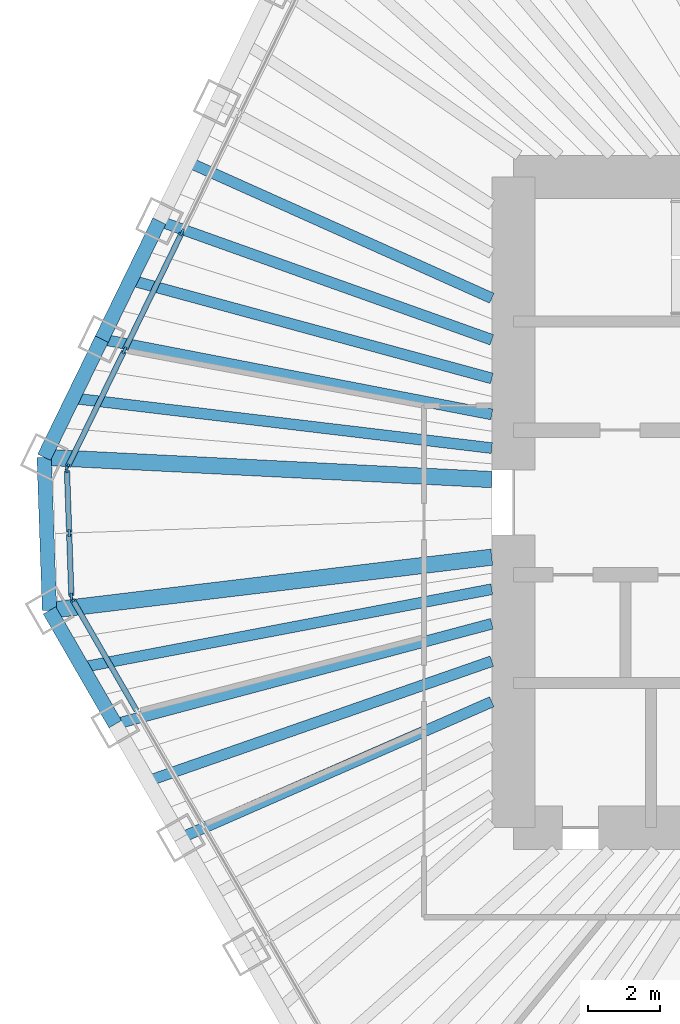
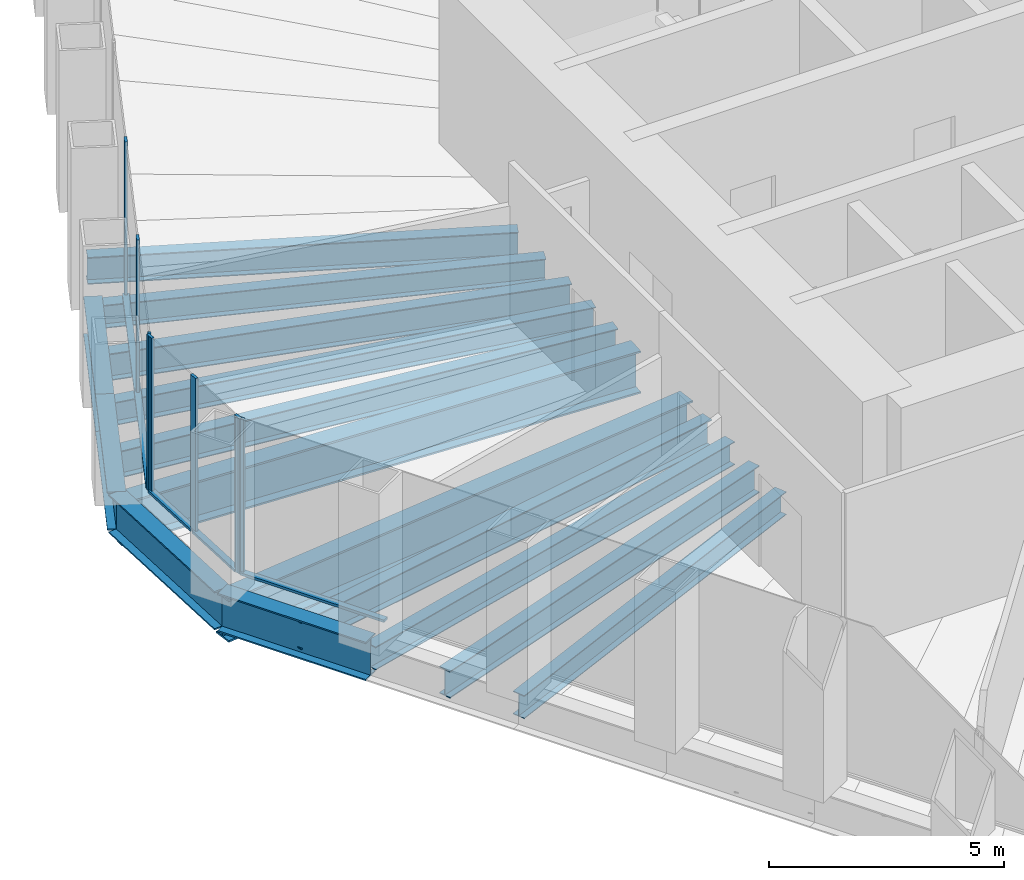
# One storey, part 3 of 13: 15 beams, 12 members, 3 elements without a shape of their own.
"""IFC4 building model written with IfcOpenShell, lengths in metres."""

from ifc_helpers import new_model, si_unit, direction, frame, origin, origin_2d, place, context, subcontext, project, spatial, rectangle, i_section, extrude, material, material_profile, profile_set, type_object, element, aggregate, save


model = new_model("IFC4")

# Units and contexts
model_context = context("Model", 3, precision=1e-05, world=origin(), true_north=direction((0.0, 1.0)))
body_context = subcontext(model_context, "Body", "Model", "MODEL_VIEW")
ifc_project = project(units=[si_unit("LENGTHUNIT", "METRE"), si_unit("AREAUNIT", "SQUARE_METRE"), si_unit("VOLUMEUNIT", "CUBIC_METRE"), si_unit("PLANEANGLEUNIT", "RADIAN"), si_unit("MASSUNIT", "GRAM", prefix="KILO")], contexts=[model_context])

# Site, building, storey
site_placement = place(None, origin())
site = spatial("IfcSite", under=ifc_project, at=site_placement, CompositionType="ELEMENT")
building_placement = place(site_placement, origin())
building = spatial("IfcBuilding", under=site, at=building_placement, Name="Qingtian Harvest Tower", CompositionType="ELEMENT")
storey_placement = place(building_placement, frame((0.0, 0.0, 247.60009765625)))
storey = spatial("IfcBuildingStorey", under=building, at=storey_placement, Name="L54", CompositionType="ELEMENT", Elevation=247.60009765625)

# Beams
ifc_material_1 = material(Name="Steel SM570MC", Category="steel")
ifc_material_profile_1 = material_profile(ifc_material_1, i_section(OverallWidth=0.449951171875, OverallDepth=1.10009765625, WebThickness=0.02197265625, FlangeThickness=0.044921875, at=origin_2d()), Name="H1100x450x22x45")
ifc_profile_set_1 = profile_set([ifc_material_profile_1], Name="Steel SM570MC")
beam_type_1 = type_object("IfcBeamType", Name="Corner floor beam FB8 H1100x450x22x45", PredefinedType="BEAM", material=ifc_profile_set_1)
beam_1_placement = place(storey_placement, frame((-24.833251953125, -2.987548828125, -0.72021484375), z_axis=(0.992841259631, 0.119441337798, 0.0), x_axis=(-0.119441337798, 0.992841259631, 0.0)))
element("IfcBeam", 1, at=beam_1_placement, inside=storey, type_object=beam_type_1, Name="Floor beam FB8 SW6", PredefinedType="BEAM", context=body_context, shape_type="SweptSolid", body=[
    extrude(i_section(OverallWidth=0.449951171875, OverallDepth=1.10009765625, WebThickness=0.02197265625, FlangeThickness=0.044921875, at=origin_2d()), origin(), (0.0, 0.0, 1.0), 12.3212890625),
])
beam_2_placement = place(storey_placement, frame((-24.981201171875, 1.248046875, -0.72021484375), z_axis=(0.998753959075, -0.049905202459, 0.0), x_axis=(0.049905202459, 0.998753959075, 0.0)))
element("IfcBeam", 2, at=beam_2_placement, inside=storey, type_object=beam_type_1, Name="Floor beam FB8 NW0", PredefinedType="BEAM", context=body_context, shape_type="SweptSolid", body=[
    extrude(i_section(OverallWidth=0.449951171875, OverallDepth=1.10009765625, WebThickness=0.02197265625, FlangeThickness=0.044921875, at=origin_2d()), origin(), (0.0, 0.0, 1.0), 12.396484375),
])
ifc_material_2 = material(Name="Steel SN490B", Category="steel")
ifc_material_profile_2 = material_profile(ifc_material_2, i_section(OverallWidth=0.300048828125, OverallDepth=0.60009765625, WebThickness=0.011962890625, FlangeThickness=0.02001953125, at=origin_2d()), Name="H600x300x12x20")
ifc_profile_set_2 = profile_set([ifc_material_profile_2], Name="Steel SN490B")
beam_type_2 = type_object("IfcBeamType", Name="Floor beam FB3 H600x300x12x20", PredefinedType="BEAM", material=ifc_profile_set_2)
beam_3_placement = place(storey_placement, frame((-21.19970703125, -9.281005859375, -0.47021484375), z_axis=(0.916057031544, 0.401048020765, 0.0), x_axis=(-0.401048020765, 0.916057031544, 0.0)))
element("IfcBeam", 3, at=beam_3_placement, inside=storey, type_object=beam_type_2, Name="Floor beam FB3 SW4", PredefinedType="BEAM", context=body_context, shape_type="SweptSolid", body=[
    extrude(i_section(OverallWidth=0.300048828125, OverallDepth=0.60009765625, WebThickness=0.011962890625, FlangeThickness=0.02001953125, at=origin_2d()), origin(), (0.0, 0.0, 1.0), 9.3876953125),
])
beam_4_placement = place(storey_placement, frame((-23.016357421875, -6.13427734375, -0.47021484375), z_axis=(0.966270640629, 0.257528734433, 0.0), x_axis=(-0.257528734433, 0.966270640629, 0.0)))
element("IfcBeam", 4, at=beam_4_placement, inside=storey, type_object=beam_type_2, Name="Floor beam FB3 SW5", PredefinedType="BEAM", context=body_context, shape_type="SweptSolid", body=[
    extrude(i_section(OverallWidth=0.300048828125, OverallDepth=0.60009765625, WebThickness=0.011962890625, FlangeThickness=0.02001953125, at=origin_2d()), origin(), (0.0, 0.0, 1.0), 10.77978515625),
])
beam_5_placement = place(storey_placement, frame((-23.388427734375, 4.513916015625, -0.47021484375), z_axis=(0.981878004162, -0.189514075845, 0.0), x_axis=(0.189514075845, 0.981878004162, 0.0)))
element("IfcBeam", 5, at=beam_5_placement, inside=storey, type_object=beam_type_2, Name="Floor beam FB3 NW1", PredefinedType="BEAM", context=body_context, shape_type="SweptSolid", body=[
    extrude(i_section(OverallWidth=0.300048828125, OverallDepth=0.60009765625, WebThickness=0.011962890625, FlangeThickness=0.02001953125, at=origin_2d()), origin(), (0.0, 0.0, 1.0), 10.987548828125),
])
beam_6_placement = place(storey_placement, frame((-21.79541015625, 7.779541015625, -0.47021484375), z_axis=(0.941800733255, -0.336171650857, 0.0), x_axis=(0.336171650857, 0.941800733255, 0.0)))
element("IfcBeam", 6, at=beam_6_placement, inside=storey, type_object=beam_type_2, Name="Floor beam FB3 NW2", PredefinedType="BEAM", context=body_context, shape_type="SweptSolid", body=[
    extrude(i_section(OverallWidth=0.300048828125, OverallDepth=0.60009765625, WebThickness=0.011962890625, FlangeThickness=0.02001953125, at=origin_2d()), origin(), (0.0, 0.0, 1.0), 9.763427734375),
])
ifc_material_3 = material(Name="Steel SN490B", Category="steel")
ifc_material_profile_3 = material_profile(ifc_material_3, i_section(OverallWidth=0.300048828125, OverallDepth=0.699951171875, WebThickness=0.012939453125, FlangeThickness=0.02392578125, at=origin_2d()), Name="H700x300x13x24")
ifc_profile_set_3 = profile_set([ifc_material_profile_3], Name="Steel SN490B")
beam_type_3 = type_object("IfcBeamType", Name="Floor joist J2 H700x300x13x24", PredefinedType="JOIST", material=ifc_profile_set_3)
beam_7_placement = place(storey_placement, frame((-22.108154296875, -7.707763671875, -0.52001953125), z_axis=(0.944256456951, 0.329210788868, 0.0), x_axis=(-0.329210788868, 0.944256456951, 0.0)))
element("IfcBeam", 7, at=beam_7_placement, inside=storey, type_object=beam_type_3, Name="Floor joist J2 SW4", PredefinedType="JOIST", context=body_context, shape_type="SweptSolid", body=[
    extrude(i_section(OverallWidth=0.300048828125, OverallDepth=0.699951171875, WebThickness=0.012939453125, FlangeThickness=0.02392578125, at=origin_2d()), origin(), (0.0, 0.0, 1.0), 10.0693359375),
])
beam_8_placement = place(storey_placement, frame((-23.9248046875, -4.56103515625, -0.52001953125), z_axis=(0.982309082743, 0.187266830912, 0.0), x_axis=(-0.187266830912, 0.982309082743, 0.0)))
element("IfcBeam", 8, at=beam_8_placement, inside=storey, type_object=beam_type_3, Name="Floor joist J2 SW5", PredefinedType="JOIST", context=body_context, shape_type="SweptSolid", body=[
    extrude(i_section(OverallWidth=0.300048828125, OverallDepth=0.699951171875, WebThickness=0.012939453125, FlangeThickness=0.02392578125, at=origin_2d()), origin(), (0.0, 0.0, 1.0), 11.528564453125),
])
beam_9_placement = place(storey_placement, frame((-24.184814453125, 2.880859375, -0.52001953125), z_axis=(0.992980727423, -0.11827626544, 0.0), x_axis=(0.11827626544, 0.992980727423, 0.0)))
element("IfcBeam", 9, at=beam_9_placement, inside=storey, type_object=beam_type_3, Name="Floor joist J2 NW0", PredefinedType="JOIST", context=body_context, shape_type="SweptSolid", body=[
    extrude(i_section(OverallWidth=0.300048828125, OverallDepth=0.699951171875, WebThickness=0.012939453125, FlangeThickness=0.02392578125, at=origin_2d()), origin(), (0.0, 0.0, 1.0), 11.66650390625),
])
beam_10_placement = place(storey_placement, frame((-22.591796875, 6.146728515625, -0.52001953125), z_axis=(0.964923062728, -0.26253282274, 0.0), x_axis=(0.26253282274, 0.964923062728, 0.0)))
element("IfcBeam", 10, at=beam_10_placement, inside=storey, type_object=beam_type_3, Name="Floor joist J2 NW1", PredefinedType="JOIST", context=body_context, shape_type="SweptSolid", body=[
    extrude(i_section(OverallWidth=0.300048828125, OverallDepth=0.699951171875, WebThickness=0.012939453125, FlangeThickness=0.02392578125, at=origin_2d()), origin(), (0.0, 0.0, 1.0), 10.35498046875),
])
beam_11_placement = place(storey_placement, frame((-20.9990234375, 9.41259765625, -0.52001953125), z_axis=(0.912515128421, -0.409042956671, 0.0), x_axis=(0.409042956671, 0.912515128421, 0.0)))
element("IfcBeam", 11, at=beam_11_placement, inside=storey, type_object=beam_type_3, Name="Floor joist J2 NW2", PredefinedType="JOIST", context=body_context, shape_type="SweptSolid", body=[
    extrude(i_section(OverallWidth=0.300048828125, OverallDepth=0.699951171875, WebThickness=0.012939453125, FlangeThickness=0.02392578125, at=origin_2d()), origin(), (0.0, 0.0, 1.0), 9.2041015625),
])

# Curtain wall, member
ifc_material_4 = material(Name="Bronze-anodised aluminium curtain wall", Category="aluminium")
curtain_wall_type = type_object("IfcCurtainWallType", Name="Curtain wall CW4 office", PredefinedType="USERDEFINED", material=ifc_material_4)
curtain_wall_1_placement = place(storey_placement, origin())
curtain_wall_1 = element("IfcCurtainWall", 12, at=curtain_wall_1_placement, inside=storey, type_object=curtain_wall_type, Name="Curtain wall CW4 L54 SW0-5", ObjectType="RECESSED CURTAIN WALL", PredefinedType="USERDEFINED")
ifc_material_5 = material(Name="Bronze-anodised aluminium mullion", Category="aluminium")
ifc_material_profile_4 = material_profile(ifc_material_5, rectangle(XDim=0.06494140625, YDim=0.199951171875, at=origin_2d()), Name="AL 65x200")
ifc_profile_set_4 = profile_set([ifc_material_profile_4], Name="Bronze-anodised aluminium mullion")
member_type_1 = type_object("IfcMemberType", Name="Mullion CWM 65x200", PredefinedType="MULLION", material=ifc_profile_set_4)
member_1_placement = place(storey_placement, frame((-24.210693359375, -2.665771484375, 0.0), z_axis=(0.0, 0.0, 1.0), x_axis=(-0.866025403784, -0.5, 0.0)))
member_1 = element("IfcMember", 13, at=member_1_placement, type_object=member_type_1, Name="CW4 mullion 7", PredefinedType="MULLION", context=body_context, shape_type="SweptSolid", body=[
    extrude(rectangle(XDim=0.06494140625, YDim=0.199951171875, at=origin_2d()), origin(), (0.0, 0.0, 1.0), 4.02978515625),
])

# Curtain wall, members
curtain_wall_2_placement = place(storey_placement, origin())
curtain_wall_2 = element("IfcCurtainWall", 14, at=curtain_wall_2_placement, inside=storey, type_object=curtain_wall_type, Name="Curtain wall CW4 L54 SWC", ObjectType="RECESSED CURTAIN WALL", PredefinedType="USERDEFINED")
member_2_placement = place(storey_placement, frame((-24.228271484375, -2.60498046875, 0.0), z_axis=(0.0, 0.0, 1.0), x_axis=(-0.999390827019, -0.034899496703, 0.0)))
member_2 = element("IfcMember", 15, at=member_2_placement, type_object=member_type_1, Name="CW4 mullion 1", PredefinedType="MULLION", context=body_context, shape_type="SweptSolid", body=[
    extrude(rectangle(XDim=0.06494140625, YDim=0.199951171875, at=origin_2d()), origin(), (0.0, 0.0, 1.0), 4.02978515625),
])
member_3_placement = place(storey_placement, frame((-24.28955078125, -0.84814453125, 0.0), z_axis=(0.0, 0.0, 1.0), x_axis=(-0.999390827019, -0.034899496703, 0.0)))
member_3 = element("IfcMember", 16, at=member_3_placement, type_object=member_type_1, Name="CW4 mullion 2", PredefinedType="MULLION", context=body_context, shape_type="SweptSolid", body=[
    extrude(rectangle(XDim=0.06494140625, YDim=0.199951171875, at=origin_2d()), origin(), (0.0, 0.0, 1.0), 4.02978515625),
])
member_4_placement = place(storey_placement, frame((-24.350830078125, 0.90869140625, 0.0), z_axis=(0.0, 0.0, 1.0), x_axis=(-0.999390827019, -0.034899496703, 0.0)))
member_4 = element("IfcMember", 17, at=member_4_placement, type_object=member_type_1, Name="CW4 mullion 3", PredefinedType="MULLION", context=body_context, shape_type="SweptSolid", body=[
    extrude(rectangle(XDim=0.06494140625, YDim=0.199951171875, at=origin_2d()), origin(), (0.0, 0.0, 1.0), 4.02978515625),
])

curtain_wall_3_placement = place(storey_placement, origin())
curtain_wall_3 = element("IfcCurtainWall", 18, at=curtain_wall_3_placement, inside=storey, type_object=curtain_wall_type, Name="Curtain wall CW4 L54 NW0-5", ObjectType="RECESSED CURTAIN WALL", PredefinedType="USERDEFINED")
member_5_placement = place(storey_placement, frame((-24.337646484375, 0.970458984375, 0.0), z_axis=(0.0, 0.0, 1.0), x_axis=(-0.898794046299, 0.438371146789, 0.0)))
member_5 = element("IfcMember", 19, at=member_5_placement, type_object=member_type_1, Name="CW4 mullion 1", PredefinedType="MULLION", context=body_context, shape_type="SweptSolid", body=[
    extrude(rectangle(XDim=0.06494140625, YDim=0.199951171875, at=origin_2d()), origin(), (0.0, 0.0, 1.0), 4.02978515625),
])
member_6_placement = place(storey_placement, frame((-22.759033203125, 4.20703125, 0.0), z_axis=(0.0, 0.0, 1.0), x_axis=(-0.898794046299, 0.438371146789, 0.0)))
member_6 = element("IfcMember", 20, at=member_6_placement, type_object=member_type_1, Name="CW4 mullion 2", PredefinedType="MULLION", context=body_context, shape_type="SweptSolid", body=[
    extrude(rectangle(XDim=0.06494140625, YDim=0.199951171875, at=origin_2d()), origin(), (0.0, 0.0, 1.0), 4.02978515625),
])
member_7_placement = place(storey_placement, frame((-21.166259765625, 7.47265625, 0.0), z_axis=(0.0, 0.0, 1.0), x_axis=(-0.898794046299, 0.438371146789, 0.0)))
member_7 = element("IfcMember", 21, at=member_7_placement, type_object=member_type_1, Name="CW4 mullion 3", PredefinedType="MULLION", context=body_context, shape_type="SweptSolid", body=[
    extrude(rectangle(XDim=0.06494140625, YDim=0.199951171875, at=origin_2d()), origin(), (0.0, 0.0, 1.0), 4.02978515625),
])

# Beams
ifc_material_6 = material(Name="Steel SN490B", Category="steel")
ifc_material_profile_5 = material_profile(ifc_material_6, i_section(OverallWidth=0.39990234375, OverallDepth=1.0, WebThickness=0.01904296875, FlangeThickness=0.035888671875, at=origin_2d()), Name="H1000x400x19x36")
ifc_profile_set_5 = profile_set([ifc_material_profile_5], Name="Steel SN490B")
beam_type_4 = type_object("IfcBeamType", Name="Spandrel beam SB3 H1000x400x19x36", PredefinedType="SPANDREL", material=ifc_profile_set_5)
beam_12_placement = place(storey_placement, frame((-23.016357421875, -6.13427734375, -0.5), z_axis=(-0.500026827678, 0.866009914263, 0.0), x_axis=(-0.866009914263, -0.500026827678, 0.0)))
element("IfcBeam", 22, at=beam_12_placement, inside=storey, type_object=beam_type_4, Name="Spandrel SB3 SW5", PredefinedType="SPANDREL", context=body_context, shape_type="SweptSolid", body=[
    extrude(i_section(OverallWidth=0.39990234375, OverallDepth=1.0, WebThickness=0.01904296875, FlangeThickness=0.035888671875, at=origin_2d()), origin(), (0.0, 0.0, 1.0), 3.633544921875),
])
beam_13_placement = place(storey_placement, frame((-24.833251953125, -2.987548828125, -0.5), z_axis=(-0.034908677553, 0.999390506375, 0.0), x_axis=(-0.999390506375, -0.034908677553, 0.0)))
element("IfcBeam", 23, at=beam_13_placement, inside=storey, type_object=beam_type_4, Name="Spandrel SB3 SWC", PredefinedType="SPANDREL", context=body_context, shape_type="SweptSolid", body=[
    extrude(i_section(OverallWidth=0.39990234375, OverallDepth=1.0, WebThickness=0.01904296875, FlangeThickness=0.035888671875, at=origin_2d()), origin(), (0.0, 0.0, 1.0), 4.23828125),
])
for number, where, z_axis, x_axis, name in (
    (24, (-24.981201171875, 1.248046875, -0.5), (0.438349498419, 0.898804604592, 0.0), (-0.898804604592, 0.438349498419, 0.0), "Spandrel SB3 NW0"),
    (25, (-23.388427734375, 4.513916015625, -0.5), (0.438430251153, 0.898765216769, 0.0), (-0.898765216769, 0.438430251153, 0.0), "Spandrel SB3 NW1"),
):
    element("IfcBeam", number, at=place(storey_placement, frame(where, z_axis=z_axis, x_axis=x_axis)), inside=storey, type_object=beam_type_4, Name=name, PredefinedType="SPANDREL", context=body_context, shape_type="SweptSolid", body=[
        extrude(i_section(OverallWidth=0.39990234375, OverallDepth=1.0, WebThickness=0.01904296875, FlangeThickness=0.035888671875, at=origin_2d()), origin(), (0.0, 0.0, 1.0), 3.633544921875),
    ])

# Member
ifc_material_7 = material(Name="Bronze-anodised aluminium transom", Category="aluminium")
ifc_material_profile_6 = material_profile(ifc_material_7, rectangle(XDim=0.14990234375, YDim=0.06494140625, at=origin_2d()), Name="AL 65x150")
ifc_profile_set_6 = profile_set([ifc_material_profile_6], Name="Bronze-anodised aluminium transom")
member_type_2 = type_object("IfcMemberType", Name="Transom CWT 65x150", PredefinedType="USERDEFINED", material=ifc_profile_set_6)
member_8_placement = place(storey_placement, frame((-22.426513671875, -5.756103515625, 0.032470703125), z_axis=(-0.500015305566, 0.866016566931, 0.0), x_axis=(-0.866016566931, -0.500015305566, 0.0)))
member_8 = element("IfcMember", 26, at=member_8_placement, type_object=member_type_2, Name="CW4 transom 6.1", ObjectType="TRANSOM", PredefinedType="USERDEFINED", context=body_context, shape_type="SweptSolid", body=[
    extrude(rectangle(XDim=0.14990234375, YDim=0.06494140625, at=origin_2d()), origin(), (0.0, 0.0, 1.0), 3.5361328125),
])

aggregate(curtain_wall_1, [member_1, member_8])

member_9_placement = place(storey_placement, frame((-24.229248046875, -2.572509765625, 0.032470703125), z_axis=(-0.034899362377, 0.99939083171, 0.0), x_axis=(-0.99939083171, -0.034899362377, 0.0)))
member_9 = element("IfcMember", 27, at=member_9_placement, type_object=member_type_2, Name="CW4 transom 1.1", ObjectType="TRANSOM", PredefinedType="USERDEFINED", context=body_context, shape_type="SweptSolid", body=[
    extrude(rectangle(XDim=0.14990234375, YDim=0.06494140625, at=origin_2d()), origin(), (0.0, 0.0, 1.0), 1.69287109375),
])

member_10_placement = place(storey_placement, frame((-24.29052734375, -0.815673828125, 0.032470703125), z_axis=(-0.034899362377, 0.99939083171, 0.0), x_axis=(-0.99939083171, -0.034899362377, 0.0)))
member_10 = element("IfcMember", 28, at=member_10_placement, type_object=member_type_2, Name="CW4 transom 2.1", ObjectType="TRANSOM", PredefinedType="USERDEFINED", context=body_context, shape_type="SweptSolid", body=[
    extrude(rectangle(XDim=0.14990234375, YDim=0.06494140625, at=origin_2d()), origin(), (0.0, 0.0, 1.0), 1.69287109375),
])

aggregate(curtain_wall_2, [member_2, member_3, member_4, member_9, member_10])

member_11_placement = place(storey_placement, frame((-24.323486328125, 0.99951171875, 0.032470703125), z_axis=(0.438354255898, 0.898802284341, 0.0), x_axis=(-0.898802284341, 0.438354255898, 0.0)))
member_11 = element("IfcMember", 29, at=member_11_placement, type_object=member_type_2, Name="CW4 transom 1.1", ObjectType="TRANSOM", PredefinedType="USERDEFINED", context=body_context, shape_type="SweptSolid", body=[
    extrude(rectangle(XDim=0.14990234375, YDim=0.06494140625, at=origin_2d()), origin(), (0.0, 0.0, 1.0), 3.5361328125),
])

member_12_placement = place(storey_placement, frame((-22.744873046875, 4.236083984375, 0.032470703125), z_axis=(0.438325233634, 0.89881643819, 0.0), x_axis=(-0.89881643819, 0.438325233634, 0.0)))
member_12 = element("IfcMember", 30, at=member_12_placement, type_object=member_type_2, Name="CW4 transom 2.1", ObjectType="TRANSOM", PredefinedType="USERDEFINED", context=body_context, shape_type="SweptSolid", body=[
    extrude(rectangle(XDim=0.14990234375, YDim=0.06494140625, at=origin_2d()), origin(), (0.0, 0.0, 1.0), 3.568603515625),
])

aggregate(curtain_wall_3, [member_5, member_6, member_7, member_11, member_12])

save(model, "model.ifc")
